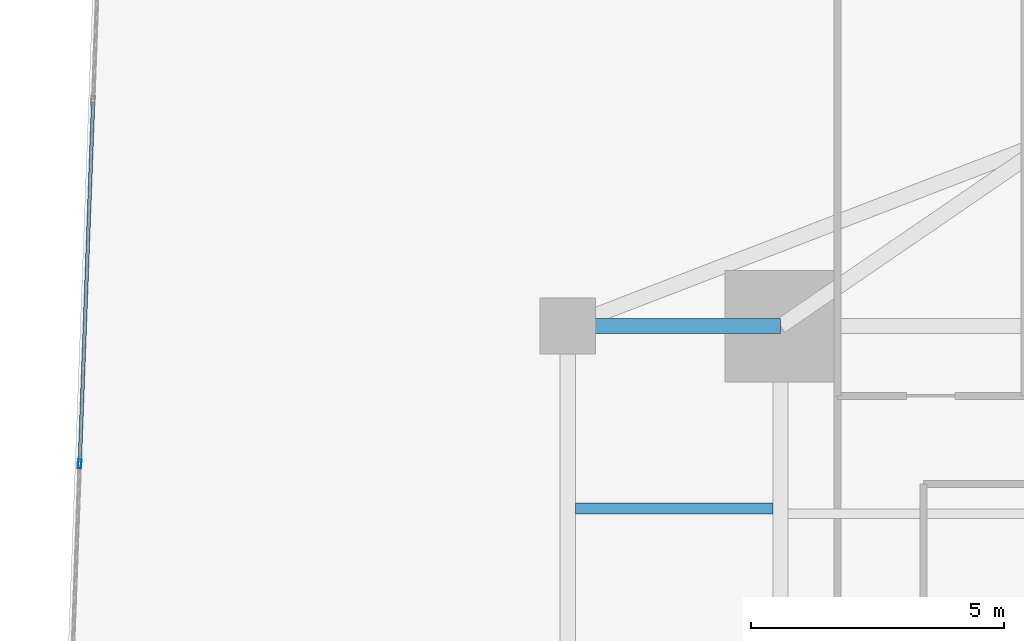
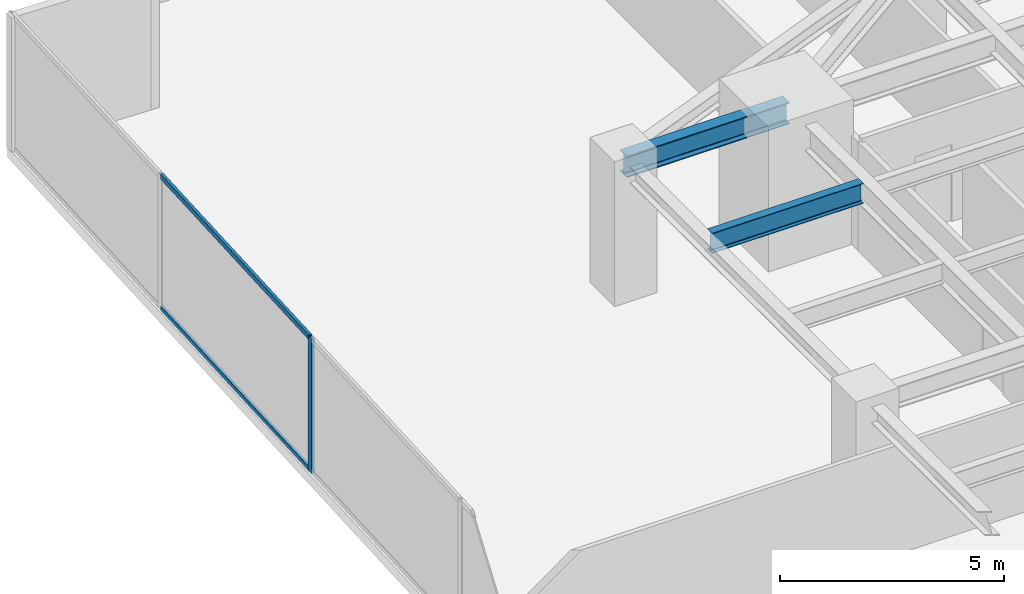
# One storey, part 17 of 30: 3 members, 2 beams, 1 element without a shape of its own.
"""IFC4 building model written with IfcOpenShell, lengths in metres."""

from ifc_helpers import new_model, si_unit, direction, frame, origin, origin_2d, place, context, subcontext, project, spatial, hollow_rectangle, i_section, extrude, source, transform, mapped, material, material_profile, profile_set, type_object, type_shapes, element, aggregate, save


model = new_model("IFC4")

# Units and contexts
model_context = context("Model", 3, precision=1e-05, world=origin(), true_north=direction((0.0, 1.0)))
body_context = subcontext(model_context, "Body", "Model", "MODEL_VIEW")
ifc_project = project(units=[si_unit("LENGTHUNIT", "METRE"), si_unit("AREAUNIT", "SQUARE_METRE"), si_unit("VOLUMEUNIT", "CUBIC_METRE"), si_unit("PLANEANGLEUNIT", "RADIAN"), si_unit("MASSUNIT", "GRAM", prefix="KILO")], contexts=[model_context])

# Site, building, storey
site_placement = place(None, origin())
site = spatial("IfcSite", under=ifc_project, at=site_placement, CompositionType="ELEMENT")
building_placement = place(site_placement, origin())
building = spatial("IfcBuilding", under=site, at=building_placement, Name="Krantzveldt Concourse Tower", CompositionType="ELEMENT")
storey_placement = place(building_placement, frame((0.0, 0.0, 36.85009765625)))
storey = spatial("IfcBuildingStorey", under=building, at=storey_placement, Name="L08", CompositionType="ELEMENT", Elevation=36.85009765625)

# Beams
ifc_material_1 = material(Name="Steel S355JR", Category="steel")
ifc_material_profile_1 = material_profile(ifc_material_1, i_section(OverallWidth=0.300048828125, OverallDepth=0.590087890625, WebThickness=0.012939453125, FlangeThickness=0.02490234375, FilletRadius=0.027099609375, at=origin_2d()), Name="Steel S355JR", Category="steel")
ifc_profile_set_1 = profile_set([ifc_material_profile_1], Name="Steel S355JR - HEA 600")
beam_type_1 = type_object("IfcBeamType", Name="BM-B-HEA600", PredefinedType="BEAM", material=ifc_profile_set_1)
shared_shape_1 = source(origin(), body_context, "Body", "SweptSolid", [
    extrude(i_section(OverallWidth=0.300048828125, OverallDepth=0.590087890625, WebThickness=0.012939453125, FlangeThickness=0.02490234375, FilletRadius=0.027099609375, at=origin_2d()), origin(), (0.0, 0.0, 1.0), 4.199951171875),
])
type_shapes(beam_type_1, [shared_shape_1])
beam_1_placement = place(storey_placement, frame((21.0, 37.5, 3.375), z_axis=(1.0, 0.0, 0.0), x_axis=(0.0, 1.0, 0.0)))
element("IfcBeam", 1, at=beam_1_placement, inside=storey, type_object=beam_type_1, Name="L08 Tower Girder BR-RL3", PredefinedType="BEAM", context=body_context, shape_type="MappedRepresentation", body=[
    mapped(shared_shape_1, transform((0.0, 0.0, 0.0), x_axis=(1.0, 0.0, 0.0), y_axis=(0.0, 1.0, 0.0), z_axis=(0.0, 0.0, 1.0), scale=1.0)),
])
ifc_material_profile_2 = material_profile(ifc_material_1, i_section(OverallWidth=0.2099609375, OverallDepth=0.550048828125, WebThickness=0.010986328125, FlangeThickness=0.01708984375, FilletRadius=0.02392578125, at=origin_2d()), Name="Steel S355JR", Category="steel")
ifc_profile_set_2 = profile_set([ifc_material_profile_2], Name="Steel S355JR - IPE 550")
beam_type_2 = type_object("IfcBeamType", Name="BM-J-IPE550", PredefinedType="JOIST", material=ifc_profile_set_2)
shared_shape_2 = source(origin(), body_context, "Body", "SweptSolid", [
    extrude(i_section(OverallWidth=0.2099609375, OverallDepth=0.550048828125, WebThickness=0.010986328125, FlangeThickness=0.01708984375, FilletRadius=0.02392578125, at=origin_2d()), origin(), (0.0, 0.0, 1.0), 3.900146484375),
])
type_shapes(beam_type_2, [shared_shape_2])
beam_2_placement = place(storey_placement, frame((21.14990234375, 33.89990234375, 3.39501953125), z_axis=(1.0, 0.0, 0.0), x_axis=(0.0, 1.0, 0.0)))
element("IfcBeam", 2, at=beam_2_placement, inside=storey, type_object=beam_type_2, Name="L08 Secondary Floor Joist JW-4", PredefinedType="JOIST", context=body_context, shape_type="MappedRepresentation", body=[
    mapped(shared_shape_2, transform((0.0, 0.0, 0.0), x_axis=(1.0, 0.0, 0.0), y_axis=(0.0, 1.0, 0.0), z_axis=(0.0, 0.0, 1.0), scale=1.0)),
])

# Curtain wall, members
ifc_material_2 = material(Name="Anodised aluminium 6063-T6", Category="aluminium")
curtain_wall_type = type_object("IfcCurtainWallType", Name="CW2", PredefinedType="USERDEFINED", material=ifc_material_2)
curtain_wall_placement = place(storey_placement, origin())
curtain_wall = element("IfcCurtainWall", 3, at=curtain_wall_placement, inside=storey, type_object=curtain_wall_type, Name="CW-L08-F01", ObjectType="UNITISED CURTAIN WALL", PredefinedType="USERDEFINED")
ifc_material_profile_3 = material_profile(ifc_material_2, hollow_rectangle(XDim=0.070068359375, YDim=0.179931640625, WallThickness=0.0048828125, at=origin_2d()), Name="Anodised aluminium 6063-T6", Category="aluminium")
ifc_profile_set_3 = profile_set([ifc_material_profile_3], Name="Anodised aluminium 6063-T6 - ALU-MULL 180x70x5")
member_type_1 = type_object("IfcMemberType", Name="CW-MUL-180", PredefinedType="MULLION", material=ifc_profile_set_3)
shared_shape_3 = source(origin(), body_context, "Body", "SweptSolid", [
    extrude(hollow_rectangle(XDim=0.070068359375, YDim=0.179931640625, WallThickness=0.0048828125, at=origin_2d()), origin(), (0.0, 0.0, 1.0), 3.669921875),
])
type_shapes(member_type_1, [shared_shape_3])
member_1_placement = place(storey_placement, frame((11.372802734375, 34.785400390625, 0.0), z_axis=(0.0, 0.0, 1.0), x_axis=(0.999312308986, -0.037079766834, 0.0)))
member_1 = element("IfcMember", 4, at=member_1_placement, type_object=member_type_1, Name="CW-Z12 mullion 3", PredefinedType="MULLION", context=body_context, shape_type="MappedRepresentation", body=[
    mapped(shared_shape_3, transform((0.0, 0.0, 0.0), x_axis=(1.0, 0.0, 0.0), y_axis=(0.0, 1.0, 0.0), z_axis=(0.0, 0.0, 1.0), scale=1.0)),
])
ifc_material_profile_4 = material_profile(ifc_material_2, hollow_rectangle(XDim=0.070068359375, YDim=0.139892578125, WallThickness=0.0048828125, at=origin_2d()), Name="Anodised aluminium 6063-T6", Category="aluminium")
ifc_profile_set_4 = profile_set([ifc_material_profile_4], Name="Anodised aluminium 6063-T6 - ALU-TRAN 140x70x5")
member_type_2 = type_object("IfcMemberType", Name="CW-TRN-150", PredefinedType="USERDEFINED", material=ifc_profile_set_4)
shared_shape_4 = source(origin(), body_context, "Body", "SweptSolid", [
    extrude(hollow_rectangle(XDim=0.070068359375, YDim=0.139892578125, WallThickness=0.0048828125, at=origin_2d()), origin(), (0.0, 0.0, 1.0), 7.0966796875),
])
type_shapes(member_type_2, [shared_shape_4])
member_2_placement = place(storey_placement, frame((11.63720703125, 41.912109375, 0.034912109375), z_axis=(-0.037051105127, -0.999313372075, 0.0), x_axis=(0.999313372075, -0.037051105127, 0.0)))
member_2 = element("IfcMember", 5, at=member_2_placement, type_object=member_type_2, Name="CW-Z12 transom 2.1", ObjectType="TRANSOM", PredefinedType="USERDEFINED", context=body_context, shape_type="MappedRepresentation", body=[
    mapped(shared_shape_4, transform((0.0, 0.0, 0.0), x_axis=(1.0, 0.0, 0.0), y_axis=(0.0, 1.0, 0.0), z_axis=(0.0, 0.0, 1.0), scale=1.0)),
])
member_3_placement = place(storey_placement, frame((11.63720703125, 41.912109375, 3.635009765625), z_axis=(-0.037051105127, -0.999313372075, 0.0), x_axis=(0.999313372075, -0.037051105127, 0.0)))
member_3 = element("IfcMember", 6, at=member_3_placement, type_object=member_type_2, Name="CW-Z12 transom 2.2", ObjectType="TRANSOM", PredefinedType="USERDEFINED", context=body_context, shape_type="MappedRepresentation", body=[
    mapped(shared_shape_4, transform((0.0, 0.0, 0.0), x_axis=(1.0, 0.0, 0.0), y_axis=(0.0, 1.0, 0.0), z_axis=(0.0, 0.0, 1.0), scale=1.0)),
])
aggregate(curtain_wall, [member_1, member_2, member_3])

save(model, "model.ifc")
